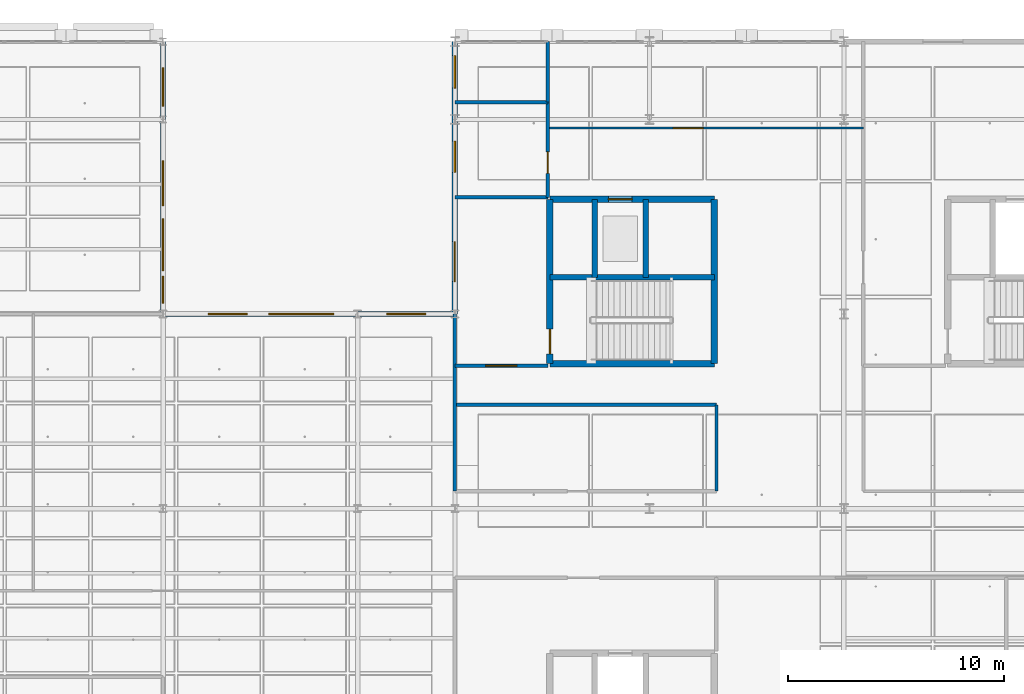
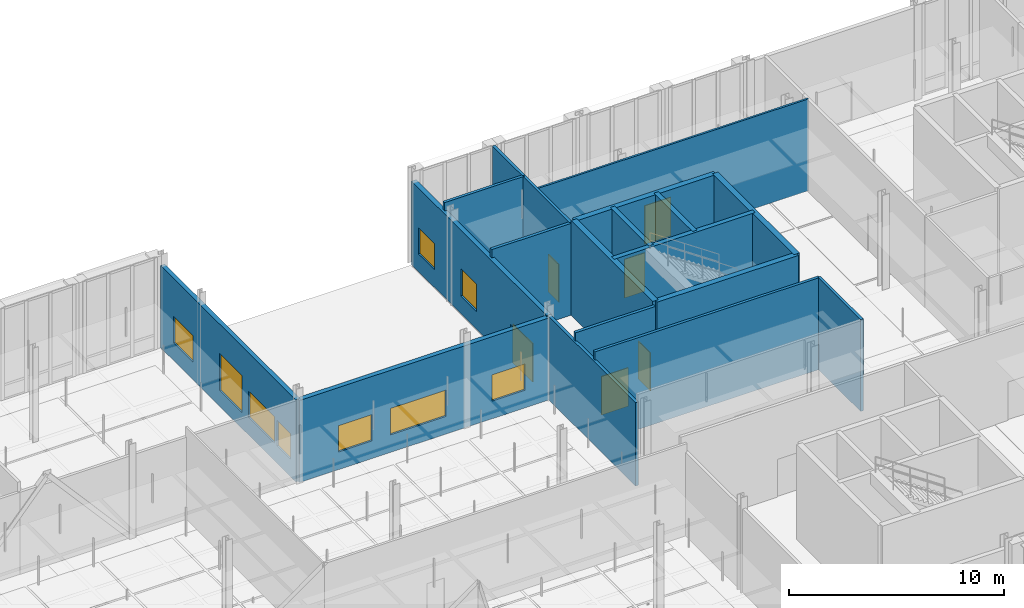
# One storey, part 100 of 180: 19 walls, 9 windows, 6 doors, 15 openings.
"""IFC4 building model written with IfcOpenShell, lengths in metres."""

import ifcopenshell
import ifcopenshell.guid

model = None  # the IFC model being written
_history = None  # IfcOwnerHistory: only IFC2X3 demands one
_inside = {}  # id of a spatial element -> (the spatial element, [elements in it])
_under = {}  # id of a project, library or spatial element -> (it, [spatial elements below it])
_declared = {}  # id of a project -> (the project, [libraries it declares])
_typed = {}  # id of a type object -> (the type object, [elements of that type])
_made_of = {}  # id of a material, layer set ... -> (it, [elements and type objects made of it])


def new_model(schema):
    """Start an empty IFC model of exactly this schema.

    Asked for "IFC4X3", IfcOpenShell would pick the latest addendum, in which some entities
    have other attributes; the version numbers below select the first issue.
    IFC2X3 requires an IfcOwnerHistory on every rooted entity: one is made here for all.
    """
    global model, _history
    if schema == "IFC4X3":
        model = ifcopenshell.file(schema_version=(4, 3, 0, 0))
    else:
        model = ifcopenshell.file(schema=schema)
    _inside.clear()
    _under.clear()
    _declared.clear()
    _typed.clear()
    _made_of.clear()
    _history = None
    if model.schema == "IFC2X3":
        org = make("IfcOrganization", Name="unknown")
        user = make(
            "IfcPersonAndOrganization",
            ThePerson=make("IfcPerson", FamilyName="unknown"),
            TheOrganization=org,
        )
        app = make(
            "IfcApplication",
            ApplicationDeveloper=org,
            Version="unknown",
            ApplicationFullName="unknown",
            ApplicationIdentifier="unknown",
        )
        _history = make(
            "IfcOwnerHistory",
            OwningUser=user,
            OwningApplication=app,
            ChangeAction="ADDED",
            CreationDate=0,
        )
    return model


def make(cls, **values):
    """One entity of the class cls with the attributes given. An attribute that is None is left unset."""
    return model.create_entity(
        cls, **{name: value for name, value in values.items() if value is not None}
    )


def rooted(cls, **values):
    """An entity with a GlobalId (a new one), such as an element, a storey or a relation."""
    return make(cls, GlobalId=ifcopenshell.guid.new(), OwnerHistory=_history, **values)


def si_unit(unit_type, name, prefix=None):
    """IfcSIUnit, for example si_unit("LENGTHUNIT", "METRE", prefix="MILLI")."""
    return make("IfcSIUnit", UnitType=unit_type, Prefix=prefix, Name=name)


def assignment(units):
    """IfcUnitAssignment: the units of a project."""
    return None if units is None else make("IfcUnitAssignment", Units=units)


def point(xyz):
    """IfcCartesianPoint."""
    return None if xyz is None else make("IfcCartesianPoint", Coordinates=xyz)


def direction(xyz):
    """IfcDirection."""
    return None if xyz is None else make("IfcDirection", DirectionRatios=xyz)


def frame(location, z_axis=None, x_axis=None):
    """IfcAxis2Placement3D, a coordinate frame: its origin and axes. An axis left out is left unset."""
    return make(
        "IfcAxis2Placement3D",
        Location=point(location),
        Axis=direction(z_axis),
        RefDirection=direction(x_axis),
    )


def frame_2d(location, x_axis=None):
    """IfcAxis2Placement2D, a coordinate frame in the plane: its origin and x axis."""
    return make(
        "IfcAxis2Placement2D", Location=point(location), RefDirection=direction(x_axis)
    )


def origin():
    """The frame at (0, 0, 0) with its axes left unset."""
    return frame((0.0, 0.0, 0.0))


def place(relative_to, where):
    """IfcLocalPlacement: puts the frame where relative to a parent placement (None: the world)."""
    return make(
        "IfcLocalPlacement", PlacementRelTo=relative_to, RelativePlacement=where
    )


def context(
    kind, dimensions, precision=None, world=None, true_north=None, identifier=None
):
    """IfcGeometricRepresentationContext, for example the 3D "Model" context."""
    return make(
        "IfcGeometricRepresentationContext",
        ContextIdentifier=identifier,
        ContextType=kind,
        CoordinateSpaceDimension=dimensions,
        Precision=precision,
        WorldCoordinateSystem=world,
        TrueNorth=true_north,
    )


def subcontext(parent, identifier, kind, view, scale=None):
    """IfcGeometricRepresentationSubContext, for example "Body" below "Model"."""
    return make(
        "IfcGeometricRepresentationSubContext",
        ContextIdentifier=identifier,
        ContextType=kind,
        ParentContext=parent,
        TargetScale=scale,
        TargetView=view,
    )


def project(units=None, contexts=None):
    """IfcProject with its units and contexts."""
    return rooted(
        "IfcProject",
        Name="project",
        RepresentationContexts=contexts,
        UnitsInContext=assignment(units),
    )


def spatial(cls, under=None, at=None, **own):
    """A site, building, storey or space (cls), placed at a placement, below another one or the project."""
    s = rooted(cls, ObjectPlacement=at, **own)
    if under is not None:
        _under.setdefault(under.id(), (under, []))[1].append(s)
    return s


def profile(cls, at=None, kind="AREA", **sizes):
    """A parametric profile (cls). Its sizes go by their IFC names, for example OverallWidth=200.0."""
    return make(cls, ProfileType=kind, Position=at, **sizes)


def rectangle(**sizes):
    """IfcRectangleProfileDef."""
    return profile("IfcRectangleProfileDef", **sizes)


def extrude(swept, where, along, depth):
    """IfcExtrudedAreaSolid: the profile swept, set in the frame where, extruded along a direction by depth."""
    return make(
        "IfcExtrudedAreaSolid",
        SweptArea=swept,
        Position=where,
        ExtrudedDirection=direction(along),
        Depth=depth,
    )


def shape(context_of_items, identifier, shape_type, items):
    """IfcShapeRepresentation: the items that make up one representation, for example the "Body"."""
    return make(
        "IfcShapeRepresentation",
        ContextOfItems=context_of_items,
        RepresentationIdentifier=identifier,
        RepresentationType=shape_type,
        Items=items,
    )


def material(Name=None, Category=None):
    """IfcMaterial."""
    return make("IfcMaterial", Name=Name, Category=Category)


def layer(
    of_material, thickness, ventilated=None, Name=None, Category=None, Priority=None
):
    """IfcMaterialLayer: one layer of a wall or slab, of a material (None: an air gap)."""
    return make(
        "IfcMaterialLayer",
        Material=of_material,
        LayerThickness=thickness,
        IsVentilated=ventilated,
        Name=Name,
        Category=Category,
        Priority=Priority,
    )


def layer_set(layers, Name=None):
    """IfcMaterialLayerSet."""
    return make("IfcMaterialLayerSet", MaterialLayers=layers, LayerSetName=Name)


def made_of(thing, what):
    """Note that an element or type object is made of a material, layer set ...; save() writes the relation."""
    if what is not None:
        _made_of.setdefault(what.id(), (what, []))[1].append(thing)
    return thing


def type_object(cls, material=None, **own):
    """A type object (cls), such as IfcWallType, which elements share."""
    return made_of(rooted(cls, **own), material)


def element(
    cls,
    number,
    at=None,
    inside=None,
    cuts=None,
    type_object=None,
    material=None,
    context=None,
    identifier="Body",
    shape_type=None,
    held_by="IfcProductDefinitionShape",
    body=None,
    shapes=None,
    **own,
):
    """One element of the class cls, such as IfcWall. Its Tag is "e" and its number.

    at: its placement. inside: the storey or other place that contains it. cuts: it is an
    opening in that element (IfcRelVoidsElement). A single representation is given by context,
    identifier, shape_type and body (its items); several are given by shapes. held_by: the class
    of the entity that holds the representations. save() writes the other relations.
    """
    e = rooted(cls, Tag="e%d" % number, ObjectPlacement=at, **own)
    if body is not None:
        shapes = [shape(context, identifier, shape_type, body)]
    if shapes is not None:
        e.Representation = make(held_by, Representations=shapes)
    if inside is not None:
        _inside.setdefault(inside.id(), (inside, []))[1].append(e)
    if cuts is not None:
        rooted(
            "IfcRelVoidsElement", RelatingBuildingElement=cuts, RelatedOpeningElement=e
        )
    if type_object is not None:
        _typed.setdefault(type_object.id(), (type_object, []))[1].append(e)
    return made_of(e, material)


def fill(opening, filler):
    """IfcRelFillsElement: the door or window that sits in an opening."""
    return rooted(
        "IfcRelFillsElement",
        RelatingOpeningElement=opening,
        RelatedBuildingElement=filler,
    )


def aggregate(whole, parts):
    """IfcRelAggregates: a whole, such as a stair, and the parts it consists of."""
    return rooted("IfcRelAggregates", RelatingObject=whole, RelatedObjects=parts)


def save(model, path):
    """Write the relations noted so far, then the file.

    IfcRelAggregates (storeys below a building ...), IfcRelContainedInSpatialStructure (elements
    in a storey), IfcRelDefinesByType, IfcRelAssociatesMaterial and IfcRelDeclares: one each for
    every whole, place, type object, material and project.
    """
    for whole, parts in _under.values():
        aggregate(whole, parts)
    for where, things in _inside.values():
        rooted(
            "IfcRelContainedInSpatialStructure",
            RelatedElements=things,
            RelatingStructure=where,
        )
    for kind, things in _typed.values():
        rooted("IfcRelDefinesByType", RelatedObjects=things, RelatingType=kind)
    for what, things in _made_of.values():
        rooted("IfcRelAssociatesMaterial", RelatedObjects=things, RelatingMaterial=what)
    for by, libraries in _declared.values():
        rooted("IfcRelDeclares", RelatingContext=by, RelatedDefinitions=libraries)
    model.write(path)


model = new_model("IFC4")

# Units and contexts
model_context = context("Model", 3, precision=1e-05, world=origin(), true_north=direction((0.0, 1.0)))
body_context = subcontext(model_context, "Body", "Model", "MODEL_VIEW")
ifc_project = project(units=[si_unit("LENGTHUNIT", "METRE"), si_unit("AREAUNIT", "SQUARE_METRE"), si_unit("VOLUMEUNIT", "CUBIC_METRE"), si_unit("PLANEANGLEUNIT", "RADIAN"), si_unit("MASSUNIT", "GRAM", prefix="KILO"), si_unit("THERMODYNAMICTEMPERATUREUNIT", "KELVIN"), si_unit("POWERUNIT", "WATT")], contexts=[model_context])

# Site, building, storey
site_placement = place(None, origin())
site = spatial("IfcSite", under=ifc_project, at=site_placement, CompositionType="ELEMENT")
building_placement = place(site_placement, origin())
building = spatial("IfcBuilding", under=site, at=building_placement, Name="Tallowbark Science Centre", CompositionType="ELEMENT")
storey_placement = place(building_placement, origin())
storey = spatial("IfcBuildingStorey", under=building, at=storey_placement, Name="L00", CompositionType="ELEMENT", Elevation=0.0)

# Wall, openings, windows
ifc_material_1 = material(Name="Hawkesbury Sandstone Faced Masonry Cavity Wall", Category="masonry")
ifc_layer_1 = layer(ifc_material_1, 0.22998046875)
ifc_layer_set_1 = layer_set([ifc_layer_1], Name="Hawkesbury Sandstone Faced Masonry Cavity Wall")
wall_type_1 = type_object("IfcWallType", Name="EWL-MAS-230", PredefinedType="STANDARD", material=ifc_layer_set_1)
wall_1_placement = place(storey_placement, frame((99.0, 99.0, 0.0), z_axis=(0.0, 0.0, 1.0), x_axis=(0.0, 1.0, 0.0)))
wall_1 = element("IfcWall", 1, at=wall_1_placement, inside=storey, type_object=wall_type_1, Name="Exterior Wall CAF-E-L00", PredefinedType="STANDARD", context=body_context, shape_type="SweptSolid", body=[
    extrude(rectangle(XDim=12.60009765625, YDim=0.22998046875, at=frame_2d((6.300048828125, 0.0))), origin(), (0.0, 0.0, 1.0), 4.671875),
])
opening_1_placement = place(wall_1_placement, frame((2.0, 0.0, 1.0)))
opening_1 = element("IfcOpeningElement", 2, at=opening_1_placement, cuts=wall_1, Name="Opening W-10", PredefinedType="OPENING", context=body_context, shape_type="SweptSolid", body=[
    extrude(rectangle(XDim=2.39990234375, YDim=1.5, at=frame_2d((1.199951171875, 0.75))), frame((0.0, 0.125, 0.0), z_axis=(0.0, -1.0, 0.0), x_axis=(1.0, 0.0, 0.0)), (0.0, 0.0, 1.0), 0.25),
])
opening_2_placement = place(wall_1_placement, frame((9.60009765625, 0.0, 1.0)))
opening_2 = element("IfcOpeningElement", 3, at=opening_2_placement, cuts=wall_1, Name="Opening W-09", PredefinedType="OPENING", context=body_context, shape_type="SweptSolid", body=[
    extrude(rectangle(XDim=1.800048828125, YDim=1.5, at=frame_2d((0.89990234375, 0.75))), frame((0.0, 0.125, 0.0), z_axis=(0.0, -1.0, 0.0), x_axis=(1.0, 0.0, 0.0)), (0.0, 0.0, 1.0), 0.25),
])
opening_3_placement = place(wall_1_placement, frame((5.0, 0.0, 0.89990234375)))
opening_3 = element("IfcOpeningElement", 4, at=opening_3_placement, cuts=wall_1, Name="Opening W-05", PredefinedType="OPENING", context=body_context, shape_type="SweptSolid", body=[
    extrude(rectangle(XDim=2.10009765625, YDim=2.10009765625, at=frame_2d((1.050048828125, 1.050048828125))), frame((0.0, 0.125, 0.0), z_axis=(0.0, -1.0, 0.0), x_axis=(1.0, 0.0, 0.0)), (0.0, 0.0, 1.0), 0.25),
])
opening_4_placement = place(wall_1_placement, frame((0.5, 0.0, 1.0)))
opening_4 = element("IfcOpeningElement", 5, at=opening_4_placement, cuts=wall_1, Name="Opening WS-04", PredefinedType="OPENING", context=body_context, shape_type="SweptSolid", body=[
    extrude(rectangle(XDim=1.25, YDim=1.449951171875, at=frame_2d((0.625, 0.72509765625))), frame((0.0, 0.125, 0.0), z_axis=(0.0, -1.0, 0.0), x_axis=(1.0, 0.0, 0.0)), (0.0, 0.0, 1.0), 0.25),
])
ifc_material_2 = material(Name="Thermally Broken Aluminium and Low-E Double Glazing", Category="aluminium")
window_type_1 = type_object("IfcWindowType", Name="WIN-F180x150", PartitioningType="SINGLE_PANEL", PredefinedType="WINDOW", material=ifc_material_2)
window_1_placement = place(opening_2_placement, origin())
window_1 = element("IfcWindow", 6, at=window_1_placement, inside=storey, type_object=window_type_1, Name="Window WIN-L00-0025", OverallHeight=1.5, OverallWidth=1.800048828125, PartitioningType="SINGLE_PANEL", PredefinedType="WINDOW", context=body_context, shape_type="SweptSolid", body=[
    extrude(rectangle(XDim=1.800048828125, YDim=1.5, at=frame_2d((0.89990234375, 0.75))), frame((0.0, 0.030029296875, 0.0), z_axis=(0.0, -1.0, 0.0), x_axis=(1.0, 0.0, 0.0)), (0.0, 0.0, 1.0), 0.06005859375),
])
fill(opening_2, window_1)
window_type_2 = type_object("IfcWindowType", Name="WIN-F210x210", PartitioningType="SINGLE_PANEL", PredefinedType="WINDOW", material=ifc_material_2)
window_2_placement = place(opening_3_placement, origin())
window_2 = element("IfcWindow", 7, at=window_2_placement, inside=storey, type_object=window_type_2, Name="Window XOP-04", OverallHeight=2.10009765625, OverallWidth=2.10009765625, PartitioningType="SINGLE_PANEL", PredefinedType="WINDOW", context=body_context, shape_type="SweptSolid", body=[
    extrude(rectangle(XDim=2.10009765625, YDim=2.10009765625, at=frame_2d((1.050048828125, 1.050048828125))), frame((0.0, 0.030029296875, 0.0), z_axis=(0.0, -1.0, 0.0), x_axis=(1.0, 0.0, 0.0)), (0.0, 0.0, 1.0), 0.06005859375),
])
fill(opening_3, window_2)
window_type_3 = type_object("IfcWindowType", Name="WIN-F240x150", PartitioningType="SINGLE_PANEL", PredefinedType="WINDOW", material=ifc_material_2)
window_3_placement = place(opening_1_placement, origin())
window_3 = element("IfcWindow", 8, at=window_3_placement, inside=storey, type_object=window_type_3, Name="Window WIN-L00-0024", OverallHeight=1.5, OverallWidth=2.39990234375, PartitioningType="SINGLE_PANEL", PredefinedType="WINDOW", context=body_context, shape_type="SweptSolid", body=[
    extrude(rectangle(XDim=2.39990234375, YDim=1.5, at=frame_2d((1.199951171875, 0.75))), frame((0.0, 0.030029296875, 0.0), z_axis=(0.0, -1.0, 0.0), x_axis=(1.0, 0.0, 0.0)), (0.0, 0.0, 1.0), 0.06005859375),
])
fill(opening_1, window_3)
window_type_4 = type_object("IfcWindowType", Name="WIN-SP-125x145", PartitioningType="SINGLE_PANEL", PredefinedType="WINDOW", material=ifc_material_2)
window_4_placement = place(opening_4_placement, origin())
window_4 = element("IfcWindow", 9, at=window_4_placement, inside=storey, type_object=window_type_4, Name="Acoustic Window WSP-04", OverallHeight=1.449951171875, OverallWidth=1.25, PartitioningType="SINGLE_PANEL", PredefinedType="WINDOW", context=body_context, shape_type="SweptSolid", body=[
    extrude(rectangle(XDim=1.25, YDim=1.449951171875, at=frame_2d((0.625, 0.72509765625))), frame((0.0, 0.030029296875, 0.0), z_axis=(0.0, -1.0, 0.0), x_axis=(1.0, 0.0, 0.0)), (0.0, 0.0, 1.0), 0.06005859375),
])
fill(opening_4, window_4)

ifc_material_3 = material(Name="Insulated Precast Concrete Panel Grade N40 (40 MPa)", Category="concrete")
ifc_layer_2 = layer(ifc_material_3, 0.25)
ifc_layer_set_2 = layer_set([ifc_layer_2], Name="Insulated Precast Concrete Panel Grade N40 (40 MPa)")
wall_type_2 = type_object("IfcWallType", Name="EWL-PRC-250", PredefinedType="STANDARD", material=ifc_layer_set_2)
wall_2_placement = place(storey_placement, frame((112.5, 99.0, 0.0), z_axis=(0.0, 0.0, 1.0), x_axis=(-1.0, 0.0, 0.0)))
wall_2 = element("IfcWall", 10, at=wall_2_placement, inside=storey, type_object=wall_type_2, Name="Exterior Wall LAB-NE-L00", PredefinedType="STANDARD", context=body_context, shape_type="SweptSolid", body=[
    extrude(rectangle(XDim=13.5, YDim=0.25, at=frame_2d((6.75, 0.0))), origin(), (0.0, 0.0, 1.0), 4.6669921875),
])
opening_5_placement = place(wall_2_placement, frame((1.35009765625, 0.0, 1.0)))
opening_5 = element("IfcOpeningElement", 11, at=opening_5_placement, cuts=wall_2, Name="Opening W-09", PredefinedType="OPENING", context=body_context, shape_type="SweptSolid", body=[
    extrude(rectangle(XDim=1.800048828125, YDim=1.5, at=frame_2d((0.89990234375, 0.75))), frame((0.0, 0.135009765625, 0.0), z_axis=(0.0, -1.0, 0.0), x_axis=(1.0, 0.0, 0.0)), (0.0, 0.0, 1.0), 0.27001953125),
])
opening_6_placement = place(wall_2_placement, frame((9.60009765625, 0.0, 1.0)))
opening_6 = element("IfcOpeningElement", 12, at=opening_6_placement, cuts=wall_2, Name="Opening W-09", PredefinedType="OPENING", context=body_context, shape_type="SweptSolid", body=[
    extrude(rectangle(XDim=1.800048828125, YDim=1.5, at=frame_2d((0.89990234375, 0.75))), frame((0.0, 0.135009765625, 0.0), z_axis=(0.0, -1.0, 0.0), x_axis=(1.0, 0.0, 0.0)), (0.0, 0.0, 1.0), 0.27001953125),
])
opening_7_placement = place(wall_2_placement, frame((5.60009765625, 0.0, 1.0)))
opening_7 = element("IfcOpeningElement", 13, at=opening_7_placement, cuts=wall_2, Name="Opening W-11", PredefinedType="OPENING", context=body_context, shape_type="SweptSolid", body=[
    extrude(rectangle(XDim=3.0, YDim=1.5, at=frame_2d((1.5, 0.75))), frame((0.0, 0.135009765625, 0.0), z_axis=(0.0, -1.0, 0.0), x_axis=(1.0, 0.0, 0.0)), (0.0, 0.0, 1.0), 0.27001953125),
])
window_5_placement = place(opening_5_placement, origin())
window_5 = element("IfcWindow", 14, at=window_5_placement, inside=storey, type_object=window_type_1, Name="Window WIN-L00-0026", OverallHeight=1.5, OverallWidth=1.800048828125, PartitioningType="SINGLE_PANEL", PredefinedType="WINDOW", context=body_context, shape_type="SweptSolid", body=[
    extrude(rectangle(XDim=1.800048828125, YDim=1.5, at=frame_2d((0.89990234375, 0.75))), frame((0.0, 0.030029296875, 0.0), z_axis=(0.0, -1.0, 0.0), x_axis=(1.0, 0.0, 0.0)), (0.0, 0.0, 1.0), 0.06005859375),
])
fill(opening_5, window_5)
window_6_placement = place(opening_6_placement, origin())
window_6 = element("IfcWindow", 15, at=window_6_placement, inside=storey, type_object=window_type_1, Name="Window WIN-L00-0027", OverallHeight=1.5, OverallWidth=1.800048828125, PartitioningType="SINGLE_PANEL", PredefinedType="WINDOW", context=body_context, shape_type="SweptSolid", body=[
    extrude(rectangle(XDim=1.800048828125, YDim=1.5, at=frame_2d((0.89990234375, 0.75))), frame((0.0, 0.030029296875, 0.0), z_axis=(0.0, -1.0, 0.0), x_axis=(1.0, 0.0, 0.0)), (0.0, 0.0, 1.0), 0.06005859375),
])
fill(opening_6, window_6)
window_type_5 = type_object("IfcWindowType", Name="WIN-F300x150", PartitioningType="SINGLE_PANEL", PredefinedType="WINDOW", material=ifc_material_2)
window_7_placement = place(opening_7_placement, origin())
window_7 = element("IfcWindow", 16, at=window_7_placement, inside=storey, type_object=window_type_5, Name="Window XOP-06", OverallHeight=1.5, OverallWidth=3.0, PartitioningType="SINGLE_PANEL", PredefinedType="WINDOW", context=body_context, shape_type="SweptSolid", body=[
    extrude(rectangle(XDim=3.0, YDim=1.5, at=frame_2d((1.5, 0.75))), frame((0.0, 0.030029296875, 0.0), z_axis=(0.0, -1.0, 0.0), x_axis=(1.0, 0.0, 0.0)), (0.0, 0.0, 1.0), 0.06005859375),
])
fill(opening_7, window_7)

# Wall, openings, door, windows
wall_3_placement = place(storey_placement, frame((112.5, 99.0, 0.0), z_axis=(0.0, 0.0, 1.0), x_axis=(0.0, 1.0, 0.0)))
wall_3 = element("IfcWall", 17, at=wall_3_placement, inside=storey, type_object=wall_type_2, Name="Exterior Wall OBS-WN-L00", PredefinedType="STANDARD", context=body_context, shape_type="SweptSolid", body=[
    extrude(rectangle(XDim=12.60009765625, YDim=0.25, at=frame_2d((6.300048828125, 0.0))), origin(), (0.0, 0.0, 1.0), 4.74609375),
])
opening_8_placement = place(wall_3_placement, frame((10.449951171875, 0.0, 1.0)))
opening_8 = element("IfcOpeningElement", 18, at=opening_8_placement, cuts=wall_3, Name="Opening W-08", PredefinedType="OPENING", context=body_context, shape_type="SweptSolid", body=[
    extrude(rectangle(XDim=1.5, YDim=1.5, at=frame_2d((0.75, 0.75))), frame((0.0, 0.135009765625, 0.0), z_axis=(0.0, -1.0, 0.0), x_axis=(1.0, 0.0, 0.0)), (0.0, 0.0, 1.0), 0.27001953125),
])
opening_9_placement = place(wall_3_placement, frame((1.5, 0.0, 0.0)))
opening_9 = element("IfcOpeningElement", 19, at=opening_9_placement, cuts=wall_3, Name="Opening ED-07", PredefinedType="OPENING", context=body_context, shape_type="SweptSolid", body=[
    extrude(rectangle(XDim=1.85009765625, YDim=2.199951171875, at=frame_2d((0.925048828125, 1.10009765625))), frame((0.0, 0.135009765625, 0.0), z_axis=(0.0, -1.0, 0.0), x_axis=(1.0, 0.0, 0.0)), (0.0, 0.0, 1.0), 0.27001953125),
])
opening_10_placement = place(wall_3_placement, frame((6.550048828125, 0.0, 1.0)))
opening_10 = element("IfcOpeningElement", 20, at=opening_10_placement, cuts=wall_3, Name="Opening WS-06", PredefinedType="OPENING", context=body_context, shape_type="SweptSolid", body=[
    extrude(rectangle(XDim=1.449951171875, YDim=1.550048828125, at=frame_2d((0.72509765625, 0.77490234375))), frame((0.0, 0.135009765625, 0.0), z_axis=(0.0, -1.0, 0.0), x_axis=(1.0, 0.0, 0.0)), (0.0, 0.0, 1.0), 0.27001953125),
])
ifc_material_4 = material(Name="Powdercoated Galvanised Steel Leaf", Category="steel")
door_type_1 = type_object("IfcDoorType", Name="EDR-ESC-185", OperationType="DOUBLE_DOOR_SINGLE_SWING", PredefinedType="DOOR", material=ifc_material_4)
door_1_placement = place(opening_9_placement, origin())
door_1 = element("IfcDoor", 21, at=door_1_placement, inside=storey, type_object=door_type_1, Name="Exterior Door EDR-L00-035", OperationType="DOUBLE_DOOR_SINGLE_SWING", OverallHeight=2.199951171875, OverallWidth=1.85009765625, PredefinedType="DOOR", context=body_context, shape_type="SweptSolid", body=[
    extrude(rectangle(XDim=1.85009765625, YDim=2.199951171875, at=frame_2d((0.925048828125, 1.10009765625))), frame((0.0, 0.02490234375, 0.0), z_axis=(0.0, -1.0, 0.0), x_axis=(1.0, 0.0, 0.0)), (0.0, 0.0, 1.0), 0.050048828125),
])
fill(opening_9, door_1)
window_type_6 = type_object("IfcWindowType", Name="WIN-F150x150", PartitioningType="SINGLE_PANEL", PredefinedType="WINDOW", material=ifc_material_2)
window_8_placement = place(opening_8_placement, origin())
window_8 = element("IfcWindow", 22, at=window_8_placement, inside=storey, type_object=window_type_6, Name="Window WIN-L00-0038", OverallHeight=1.5, OverallWidth=1.5, PartitioningType="SINGLE_PANEL", PredefinedType="WINDOW", context=body_context, shape_type="SweptSolid", body=[
    extrude(rectangle(XDim=1.5, YDim=1.5, at=frame_2d((0.75, 0.75))), frame((0.0, 0.030029296875, 0.0), z_axis=(0.0, -1.0, 0.0), x_axis=(1.0, 0.0, 0.0)), (0.0, 0.0, 1.0), 0.06005859375),
])
fill(opening_8, window_8)
window_type_7 = type_object("IfcWindowType", Name="WIN-SP-145x155", PartitioningType="SINGLE_PANEL", PredefinedType="WINDOW", material=ifc_material_2)
window_9_placement = place(opening_10_placement, origin())
window_9 = element("IfcWindow", 23, at=window_9_placement, inside=storey, type_object=window_type_7, Name="Acoustic Window WSP-06", OverallHeight=1.550048828125, OverallWidth=1.449951171875, PartitioningType="SINGLE_PANEL", PredefinedType="WINDOW", context=body_context, shape_type="SweptSolid", body=[
    extrude(rectangle(XDim=1.449951171875, YDim=1.550048828125, at=frame_2d((0.72509765625, 0.77490234375))), frame((0.0, 0.030029296875, 0.0), z_axis=(0.0, -1.0, 0.0), x_axis=(1.0, 0.0, 0.0)), (0.0, 0.0, 1.0), 0.06005859375),
])
fill(opening_10, window_9)

# Walls
ifc_material_5 = material(Name="150 mm Wet-Area Moisture-Resistant Partition")
ifc_layer_3 = layer(ifc_material_5, 0.14990234375)
ifc_layer_set_3 = layer_set([ifc_layer_3], Name="150 mm Wet-Area Moisture-Resistant Partition")
wall_type_3 = type_object("IfcWallType", Name="PTW-150", PredefinedType="PARTITIONING", material=ifc_layer_set_3)
wall_4_placement = place(storey_placement, frame((112.5, 94.800048828125, 0.0), z_axis=(0.0, 0.0, 1.0), x_axis=(1.0, 0.0, 0.0)))
element("IfcWall", 24, at=wall_4_placement, inside=storey, type_object=wall_type_3, Name="Interior Partition PTW-L00-0137", PredefinedType="PARTITIONING", context=body_context, shape_type="SweptSolid", body=[
    extrude(rectangle(XDim=12.10009765625, YDim=0.14990234375, at=frame_2d((6.050048828125, 0.0))), origin(), (0.0, 0.0, 1.0), 5.219970703125),
])
wall_5_placement = place(storey_placement, frame((124.60009765625, 90.800048828125, 0.0), z_axis=(0.0, 0.0, 1.0), x_axis=(0.0, 1.0, 0.0)))
element("IfcWall", 25, at=wall_5_placement, inside=storey, type_object=wall_type_3, Name="Interior Partition PTW-L00-0138", PredefinedType="PARTITIONING", context=body_context, shape_type="SweptSolid", body=[
    extrude(rectangle(XDim=4.0, YDim=0.14990234375, at=frame_2d((2.0, 0.0))), origin(), (0.0, 0.0, 1.0), 5.219970703125),
])
wall_6_placement = place(storey_placement, frame((112.5, 108.800048828125, 0.0), z_axis=(0.0, 0.0, 1.0), x_axis=(1.0, 0.0, 0.0)))
element("IfcWall", 26, at=wall_6_placement, inside=storey, type_object=wall_type_3, Name="Interior Partition PTW-L00-0146", PredefinedType="PARTITIONING", context=body_context, shape_type="SweptSolid", body=[
    extrude(rectangle(XDim=4.300048828125, YDim=0.14990234375, at=frame_2d((2.14990234375, 0.0))), origin(), (0.0, 0.0, 1.0), 5.219970703125),
])

# Wall, opening, door
wall_7_placement = place(storey_placement, frame((116.800048828125, 104.39990234375, 0.0), z_axis=(0.0, 0.0, 1.0), x_axis=(0.0, 1.0, 0.0)))
wall_7 = element("IfcWall", 27, at=wall_7_placement, inside=storey, type_object=wall_type_3, Name="Interior Partition PTW-L00-0147", PredefinedType="PARTITIONING", context=body_context, shape_type="SweptSolid", body=[
    extrude(rectangle(XDim=4.400146484375, YDim=0.14990234375, at=frame_2d((2.2001953125, 0.0))), origin(), (0.0, 0.0, 1.0), 5.219970703125),
])
opening_11_placement = place(wall_7_placement, frame((1.10009765625, 0.0, 0.0)))
opening_11 = element("IfcOpeningElement", 28, at=opening_11_placement, cuts=wall_7, Name="Opening ID-06", PredefinedType="OPENING", context=body_context, shape_type="SweptSolid", body=[
    extrude(rectangle(XDim=1.0, YDim=2.14990234375, at=frame_2d((0.5, 1.074951171875))), frame((0.0, 0.0849609375, 0.0), z_axis=(0.0, -1.0, 0.0), x_axis=(1.0, 0.0, 0.0)), (0.0, 0.0, 1.0), 0.169921875),
])
ifc_material_6 = material(Name="Accessible Cavity Sliding Leaf")
door_type_2 = type_object("IfcDoorType", Name="IDR-AWC-100", OperationType="SLIDING_TO_LEFT", PredefinedType="DOOR", material=ifc_material_6)
door_2_placement = place(opening_11_placement, origin())
door_2 = element("IfcDoor", 29, at=door_2_placement, inside=storey, type_object=door_type_2, Name="Interior Door IDR-L00-0058", OperationType="SLIDING_TO_LEFT", OverallHeight=2.14990234375, OverallWidth=1.0, PredefinedType="DOOR", context=body_context, shape_type="SweptSolid", body=[
    extrude(rectangle(XDim=1.0, YDim=2.14990234375, at=frame_2d((0.5, 1.074951171875))), frame((0.0, 0.02490234375, 0.0), z_axis=(0.0, -1.0, 0.0), x_axis=(1.0, 0.0, 0.0)), (0.0, 0.0, 1.0), 0.050048828125),
])
fill(opening_11, door_2)

# Walls
wall_8_placement = place(storey_placement, frame((116.800048828125, 108.800048828125, 0.0), z_axis=(0.0, 0.0, 1.0), x_axis=(0.0, 1.0, 0.0)))
element("IfcWall", 30, at=wall_8_placement, inside=storey, type_object=wall_type_3, Name="Interior Partition PTW-L00-0148", PredefinedType="PARTITIONING", context=body_context, shape_type="SweptSolid", body=[
    extrude(rectangle(XDim=2.800048828125, YDim=0.14990234375, at=frame_2d((1.39990234375, 0.0))), origin(), (0.0, 0.0, 1.0), 5.219970703125),
])
ifc_material_7 = material(Name="162 mm Double-Stud Fire-Rated Corridor Partition")
ifc_layer_4 = layer(ifc_material_7, 0.162109375)
ifc_layer_set_4 = layer_set([ifc_layer_4], Name="162 mm Double-Stud Fire-Rated Corridor Partition")
wall_type_4 = type_object("IfcWallType", Name="PTW-162", PredefinedType="PARTITIONING", material=ifc_layer_set_4)
wall_9_placement = place(storey_placement, frame((112.5, 90.800048828125, 0.0), z_axis=(0.0, 0.0, 1.0), x_axis=(0.0, 1.0, 0.0)))
element("IfcWall", 31, at=wall_9_placement, inside=storey, type_object=wall_type_4, Name="Interior Partition PTW-L00-0002", PredefinedType="PARTITIONING", context=body_context, shape_type="SweptSolid", body=[
    extrude(rectangle(XDim=8.199951171875, YDim=0.162109375, at=frame_2d((4.10009765625, 0.0))), origin(), (0.0, 0.0, 1.0), 4.74609375),
])

# Wall, opening, door
wall_10_placement = place(storey_placement, frame((112.5, 96.60009765625, 0.0), z_axis=(0.0, 0.0, 1.0), x_axis=(1.0, 0.0, 0.0)))
wall_10 = element("IfcWall", 32, at=wall_10_placement, inside=storey, type_object=wall_type_4, Name="Interior Partition PTW-L00-0144", PredefinedType="PARTITIONING", context=body_context, shape_type="SweptSolid", body=[
    extrude(rectangle(XDim=4.300048828125, YDim=0.162109375, at=frame_2d((2.14990234375, 0.0))), origin(), (0.0, 0.0, 1.0), 5.219970703125),
])
opening_12_placement = place(wall_10_placement, frame((1.419921875, 0.0, 0.0)))
opening_12 = element("IfcOpeningElement", 33, at=opening_12_placement, cuts=wall_10, Name="Opening FD-02", PredefinedType="OPENING", context=body_context, shape_type="SweptSolid", body=[
    extrude(rectangle(XDim=1.449951171875, YDim=2.199951171875, at=frame_2d((0.72509765625, 1.10009765625))), frame((0.0, 0.091064453125, 0.0), z_axis=(0.0, -1.0, 0.0), x_axis=(1.0, 0.0, 0.0)), (0.0, 0.0, 1.0), 0.18212890625),
])
ifc_material_8 = material(Name="Fire-Rated Glazed Steel Pair", Category="steel")
door_type_3 = type_object("IfcDoorType", Name="FDR-LOB-145", OperationType="DOUBLE_DOOR_SINGLE_SWING", PredefinedType="DOOR", material=ifc_material_8)
door_3_placement = place(opening_12_placement, origin())
door_3 = element("IfcDoor", 34, at=door_3_placement, inside=storey, type_object=door_type_3, Name="Interior Door IDR-L00-0057", OperationType="DOUBLE_DOOR_SINGLE_SWING", OverallHeight=2.199951171875, OverallWidth=1.449951171875, PredefinedType="DOOR", context=body_context, shape_type="SweptSolid", body=[
    extrude(rectangle(XDim=1.449951171875, YDim=2.199951171875, at=frame_2d((0.72509765625, 1.10009765625))), frame((0.0, 0.02490234375, 0.0), z_axis=(0.0, -1.0, 0.0), x_axis=(1.0, 0.0, 0.0)), (0.0, 0.0, 1.0), 0.050048828125),
])
fill(opening_12, door_3)

# Wall
wall_11_placement = place(storey_placement, frame((112.5, 104.39990234375, 0.0), z_axis=(0.0, 0.0, 1.0), x_axis=(1.0, 0.0, 0.0)))
element("IfcWall", 35, at=wall_11_placement, inside=storey, type_object=wall_type_4, Name="Interior Partition PTW-L00-0145", PredefinedType="PARTITIONING", context=body_context, shape_type="SweptSolid", body=[
    extrude(rectangle(XDim=4.300048828125, YDim=0.162109375, at=frame_2d((2.14990234375, 0.0))), origin(), (0.0, 0.0, 1.0), 5.219970703125),
])

# Wall, opening, door
ifc_material_9 = material(Name="108 mm Acoustic Double-Glazed Laboratory Partition")
ifc_layer_5 = layer(ifc_material_9, 0.10791015625)
ifc_layer_set_5 = layer_set([ifc_layer_5], Name="108 mm Acoustic Double-Glazed Laboratory Partition")
wall_type_5 = type_object("IfcWallType", Name="PTW-GLZ-108", PredefinedType="PARTITIONING", material=ifc_layer_set_5)
wall_12_placement = place(storey_placement, frame((116.800048828125, 107.60009765625, 0.0), z_axis=(0.0, 0.0, 1.0), x_axis=(1.0, 0.0, 0.0)))
wall_12 = element("IfcWall", 36, at=wall_12_placement, inside=storey, type_object=wall_type_5, Name="Interior Partition PTW-L00-0149", PredefinedType="PARTITIONING", context=body_context, shape_type="SweptSolid", body=[
    extrude(rectangle(XDim=14.599853515625, YDim=0.10791015625, at=frame_2d((7.2998046875, 0.0))), origin(), (0.0, 0.0, 1.0), 5.219970703125),
])
opening_13_placement = place(wall_12_placement, frame((5.800048828125, 0.0, 0.0)))
opening_13 = element("IfcOpeningElement", 37, at=opening_13_placement, cuts=wall_12, Name="Opening ID-01", PredefinedType="OPENING", context=body_context, shape_type="SweptSolid", body=[
    extrude(rectangle(XDim=1.39990234375, YDim=2.199951171875, at=frame_2d((0.699951171875, 1.10009765625))), frame((0.0, 0.06396484375, 0.0), z_axis=(0.0, -1.0, 0.0), x_axis=(1.0, 0.0, 0.0)), (0.0, 0.0, 1.0), 0.1279296875),
])
ifc_material_10 = material(Name="Vision-Panel Leaf and Unequal Side Leaf")
door_type_4 = type_object("IfcDoorType", Name="IDR-LAB-140", OperationType="DOUBLE_DOOR_SINGLE_SWING", PredefinedType="DOOR", material=ifc_material_10)
door_4_placement = place(opening_13_placement, origin())
door_4 = element("IfcDoor", 38, at=door_4_placement, inside=storey, type_object=door_type_4, Name="Interior Door IDR-L00-0059", OperationType="DOUBLE_DOOR_SINGLE_SWING", OverallHeight=2.199951171875, OverallWidth=1.39990234375, PredefinedType="DOOR", context=body_context, shape_type="SweptSolid", body=[
    extrude(rectangle(XDim=1.39990234375, YDim=2.199951171875, at=frame_2d((0.699951171875, 1.10009765625))), frame((0.0, 0.02490234375, 0.0), z_axis=(0.0, -1.0, 0.0), x_axis=(1.0, 0.0, 0.0)), (0.0, 0.0, 1.0), 0.050048828125),
])
fill(opening_13, door_4)

ifc_material_11 = material(Name="Concrete Grade N40 (40 MPa)", Category="concrete")
ifc_layer_6 = layer(ifc_material_11, 0.300048828125)
ifc_layer_set_6 = layer_set([ifc_layer_6], Name="Concrete Grade N40 (40 MPa)")
wall_type_6 = type_object("IfcWallType", Name="WL-CORE-300", PredefinedType="SHEAR", material=ifc_layer_set_6)
wall_13_placement = place(storey_placement, frame((116.89990234375, 96.699951171875, 0.0), z_axis=(0.0, 0.0, 1.0), x_axis=(0.0, 1.0, 0.0)))
wall_13 = element("IfcWall", 39, at=wall_13_placement, inside=storey, type_object=wall_type_6, Name="Core C5 Shear Wall L00 W", PredefinedType="SHEAR", context=body_context, shape_type="SweptSolid", body=[
    extrude(rectangle(XDim=7.60009765625, YDim=0.300048828125, at=frame_2d((3.800048828125, 0.0))), origin(), (0.0, 0.0, 1.0), 5.39990234375),
])
opening_14_placement = place(wall_13_placement, frame((0.449951171875, 0.0, 0.0)))
opening_14 = element("IfcOpeningElement", 40, at=opening_14_placement, cuts=wall_13, Name="Opening FD-01", PredefinedType="OPENING", context=body_context, shape_type="SweptSolid", body=[
    extrude(rectangle(XDim=1.14990234375, YDim=2.14990234375, at=frame_2d((0.574951171875, 1.074951171875))), frame((0.0, 0.16015625, 0.0), z_axis=(0.0, -1.0, 0.0), x_axis=(1.0, 0.0, 0.0)), (0.0, 0.0, 1.0), 0.320068359375),
])
ifc_material_12 = material(Name="Fire-Rated Pressed Steel Frame and Solid Core Leaf", Category="steel")
door_type_5 = type_object("IfcDoorType", Name="FDR-STR-115", OperationType="NOTDEFINED", PredefinedType="DOOR", material=ifc_material_12)
door_5_placement = place(opening_14_placement, origin())
door_5 = element("IfcDoor", 41, at=door_5_placement, inside=storey, type_object=door_type_5, Name="Stair ST-05 Fire Door L00", OperationType="SINGLE_SWING_LEFT", OverallHeight=2.14990234375, OverallWidth=1.14990234375, PredefinedType="DOOR", context=body_context, shape_type="SweptSolid", body=[
    extrude(rectangle(XDim=1.14990234375, YDim=2.14990234375, at=frame_2d((0.574951171875, 1.074951171875))), frame((0.0, 0.02490234375, 0.0), z_axis=(0.0, -1.0, 0.0), x_axis=(1.0, 0.0, 0.0)), (0.0, 0.0, 1.0), 0.050048828125),
])
fill(opening_14, door_5)

# Walls
for number, where, z_axis, x_axis, name in (
    (42, (124.5, 96.699951171875, 0.0), (0.0, 0.0, 1.0), (0.0, 1.0, 0.0), "Core C5 Shear Wall L00 E"),
    (43, (116.89990234375, 96.699951171875, 0.0), (0.0, 0.0, 1.0), (1.0, 0.0, 0.0), "Core C5 Shear Wall L00 S"),
):
    element("IfcWall", number, at=place(storey_placement, frame(where, z_axis=z_axis, x_axis=x_axis)), inside=storey, type_object=wall_type_6, Name=name, PredefinedType="SHEAR", context=body_context, shape_type="SweptSolid", body=[
        extrude(rectangle(XDim=7.60009765625, YDim=0.300048828125, at=frame_2d((3.800048828125, 0.0))), origin(), (0.0, 0.0, 1.0), 5.39990234375),
    ])

# Wall, opening, door
wall_14_placement = place(storey_placement, frame((116.89990234375, 104.300048828125, 0.0), z_axis=(0.0, 0.0, 1.0), x_axis=(1.0, 0.0, 0.0)))
wall_14 = element("IfcWall", 44, at=wall_14_placement, inside=storey, type_object=wall_type_6, Name="Core C5 Shear Wall L00 N", PredefinedType="SHEAR", context=body_context, shape_type="SweptSolid", body=[
    extrude(rectangle(XDim=7.60009765625, YDim=0.300048828125, at=frame_2d((3.800048828125, 0.0))), origin(), (0.0, 0.0, 1.0), 5.39990234375),
])
opening_15_placement = place(wall_14_placement, frame((2.699951171875, 0.0, 0.0)))
opening_15 = element("IfcOpeningElement", 45, at=opening_15_placement, cuts=wall_14, Name="Opening LD-01", PredefinedType="OPENING", context=body_context, shape_type="SweptSolid", body=[
    extrude(rectangle(XDim=1.10009765625, YDim=2.199951171875, at=frame_2d((0.550048828125, 1.10009765625))), frame((0.0, 0.16015625, 0.0), z_axis=(0.0, -1.0, 0.0), x_axis=(1.0, 0.0, 0.0)), (0.0, 0.0, 1.0), 0.320068359375),
])
ifc_material_13 = material(Name="Brushed Stainless Steel Centre-Parting Lift Landing Door", Category="steel")
door_type_6 = type_object("IfcDoorType", Name="LDR-LFT-110", OperationType="DOUBLE_DOOR_SLIDING", PredefinedType="DOOR", material=ifc_material_13)
door_6_placement = place(opening_15_placement, origin())
door_6 = element("IfcDoor", 46, at=door_6_placement, inside=storey, type_object=door_type_6, Name="Lift LF-04 Landing Door L00", OperationType="DOUBLE_DOOR_SLIDING", OverallHeight=2.199951171875, OverallWidth=1.10009765625, PredefinedType="DOOR", context=body_context, shape_type="SweptSolid", body=[
    extrude(rectangle(XDim=1.10009765625, YDim=2.199951171875, at=frame_2d((0.550048828125, 1.10009765625))), frame((0.0, 0.02490234375, 0.0), z_axis=(0.0, -1.0, 0.0), x_axis=(1.0, 0.0, 0.0)), (0.0, 0.0, 1.0), 0.050048828125),
])
fill(opening_15, door_6)

# Walls
ifc_layer_7 = layer(ifc_material_11, 0.25)
ifc_layer_set_7 = layer_set([ifc_layer_7], Name="Concrete Grade N40 (40 MPa)")
wall_type_7 = type_object("IfcWallType", Name="WL-SHAFT-250", PredefinedType="SHEAR", material=ifc_layer_set_7)
wall_15_placement = place(storey_placement, frame((116.89990234375, 100.695068359375, 0.0), z_axis=(0.0, 0.0, 1.0), x_axis=(1.0, 0.0, 0.0)))
element("IfcWall", 47, at=wall_15_placement, inside=storey, type_object=wall_type_7, Name="Core C5 Shear Wall L00 MID", PredefinedType="SHEAR", context=body_context, shape_type="SweptSolid", body=[
    extrude(rectangle(XDim=7.60009765625, YDim=0.25, at=frame_2d((3.800048828125, 0.0))), origin(), (0.0, 0.0, 1.0), 5.39990234375),
])
for number, where, z_axis, x_axis, name in (
    (48, (118.97509765625, 100.695068359375, 0.0), (0.0, 0.0, 1.0), (0.0, 1.0, 0.0), "Core C5 Shear Wall L00 LW"),
    (49, (121.324951171875, 100.695068359375, 0.0), (0.0, 0.0, 1.0), (0.0, 1.0, 0.0), "Core C5 Shear Wall L00 LE"),
):
    element("IfcWall", number, at=place(storey_placement, frame(where, z_axis=z_axis, x_axis=x_axis)), inside=storey, type_object=wall_type_7, Name=name, PredefinedType="SHEAR", context=body_context, shape_type="SweptSolid", body=[
        extrude(rectangle(XDim=3.60498046875, YDim=0.25, at=frame_2d((1.802490234375, 0.0))), origin(), (0.0, 0.0, 1.0), 5.39990234375),
    ])

save(model, "model.ifc")
